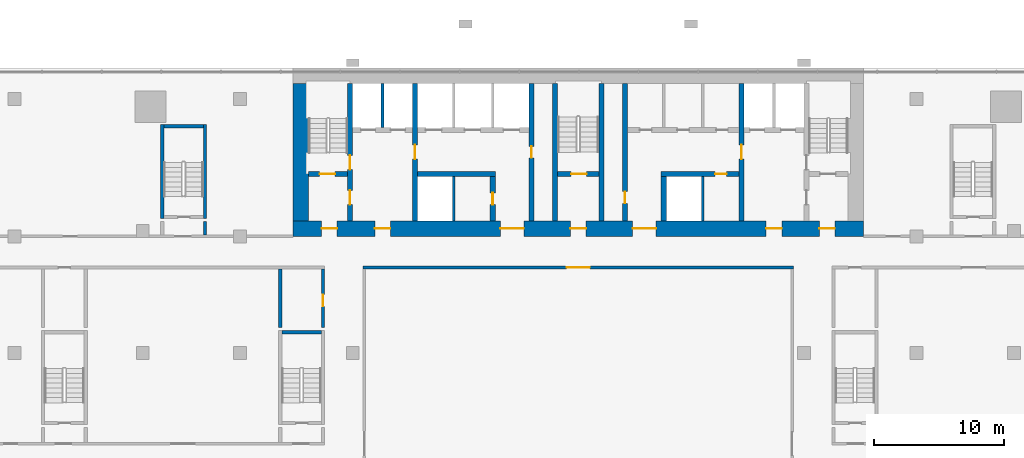
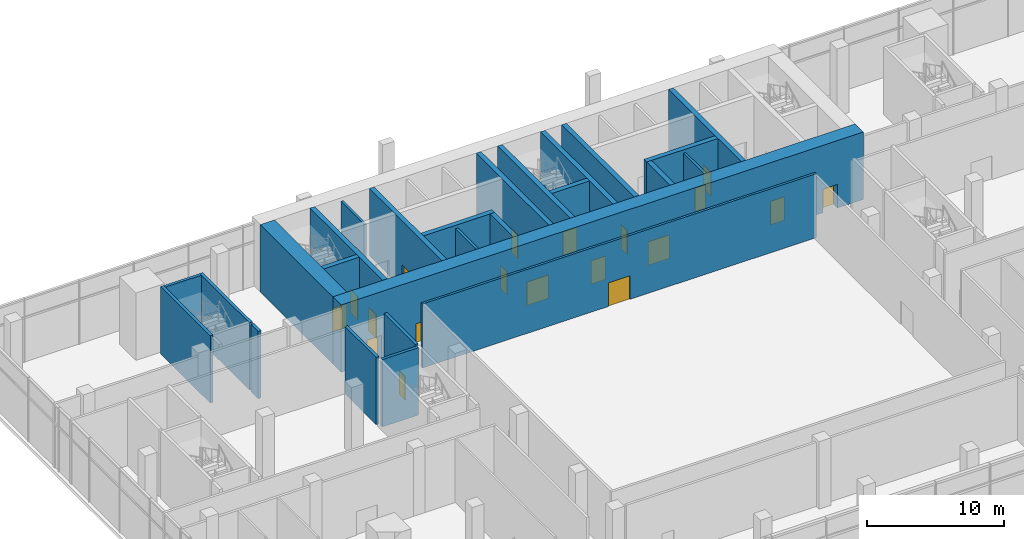
# One storey, part 13 of 21: 26 walls, 19 doors, 19 openings.
"""IFC4 building model written with IfcOpenShell, lengths in metres."""

from ifc_helpers import new_model, si_unit, direction, frame, frame_2d, origin, place, context, subcontext, project, spatial, rectangle, extrude, material, layer, layer_set, type_object, element, fill, save


model = new_model("IFC4")

# Units and contexts
model_context = context("Model", 3, precision=1e-05, world=origin(), true_north=direction((0.0, 1.0)))
body_context = subcontext(model_context, "Body", "Model", "MODEL_VIEW")
ifc_project = project(units=[si_unit("LENGTHUNIT", "METRE"), si_unit("AREAUNIT", "SQUARE_METRE"), si_unit("VOLUMEUNIT", "CUBIC_METRE"), si_unit("PLANEANGLEUNIT", "RADIAN"), si_unit("MASSUNIT", "GRAM", prefix="KILO")], contexts=[model_context])

# Site, building, storey
site_placement = place(None, origin())
site = spatial("IfcSite", under=ifc_project, at=site_placement, CompositionType="ELEMENT")
building_placement = place(site_placement, origin())
building = spatial("IfcBuilding", under=site, at=building_placement, Name="Bicima Exchange Tower", CompositionType="ELEMENT")
storey_placement = place(building_placement, frame((0.0, 0.0, 8.0)))
storey = spatial("IfcBuildingStorey", under=building, at=storey_placement, Name="L01", CompositionType="ELEMENT", Elevation=8.0)

# Walls
ifc_material_1 = material(Name="Gypsum board partition")
ifc_layer_1 = layer(ifc_material_1, 0.199951171875)
ifc_layer_set_1 = layer_set([ifc_layer_1], Name="Gypsum board partition")
wall_type_1 = type_object("IfcWallType", Name="Fire-rated gypsum partition 200 EI120", PredefinedType="PARTITIONING", material=ifc_layer_set_1)
for number, where, z_axis, x_axis, name in (
    (1, (-15.10009765625, -4.60009765625, 0.0), (0.0, 0.0, 1.0), (0.0, 1.0, 0.0), "partition wall 9"),
    (2, (-9.60009765625, -11.800048828125, 0.0), (0.0, 0.0, 1.0), (0.0, 1.0, 0.0), "partition wall 11"),
    (3, (9.60009765625, -11.800048828125, 0.0), (0.0, 0.0, 1.0), (0.0, 1.0, 0.0), "partition wall 21"),
):
    element("IfcWall", number, at=place(storey_placement, frame(where, z_axis=z_axis, x_axis=x_axis)), inside=storey, type_object=wall_type_1, Name=name, PredefinedType="PARTITIONING", context=body_context, shape_type="SweptSolid", body=[
        extrude(rectangle(XDim=3.400146484375, YDim=0.199951171875, at=frame_2d((1.7001953125, 0.0))), origin(), (0.0, 0.0, 1.0), 5.699951171875),
    ])

# Wall, opening, door
ifc_layer_2 = layer(ifc_material_1, 0.199951171875)
ifc_layer_set_2 = layer_set([ifc_layer_2], Name="Gypsum board partition")
wall_type_2 = type_object("IfcWallType", Name="Fire-rated gypsum partition 200 EI60", PredefinedType="PARTITIONING", material=ifc_layer_set_2)
wall_1_placement = place(storey_placement, frame((-16.60009765625, -15.39990234375, 0.0), z_axis=(0.0, 0.0, 1.0), x_axis=(1.0, 0.0, 0.0)))
wall_1 = element("IfcWall", 4, at=wall_1_placement, inside=storey, type_object=wall_type_2, Name="partition wall 18", PredefinedType="PARTITIONING", context=body_context, shape_type="SweptSolid", body=[
    extrude(rectangle(XDim=33.2001953125, YDim=0.199951171875, at=frame_2d((16.60009765625, 0.0))), origin(), (0.0, 0.0, 1.0), 5.699951171875),
])
opening_1_placement = place(wall_1_placement, frame((15.699951171875, 0.0, 0.0)))
opening_1 = element("IfcOpeningElement", 5, at=opening_1_placement, cuts=wall_1, Name="Opening L01-013", PredefinedType="OPENING", context=body_context, shape_type="SweptSolid", body=[
    extrude(rectangle(XDim=1.800048828125, YDim=2.10009765625, at=frame_2d((0.89990234375, 1.050048828125))), frame((0.0, 0.11181640625, 0.0), z_axis=(0.0, -1.0, 0.0), x_axis=(1.0, 0.0, 0.0)), (0.0, 0.0, 1.0), 0.223876953125),
])
ifc_material_2 = material(Name="Steel fire door leaf", Category="steel")
door_type_1 = type_object("IfcDoorType", Name="Door 1800 double swing FD30S", OperationType="DOUBLE_DOOR_SINGLE_SWING", PredefinedType="DOOR", material=ifc_material_2)
door_1_placement = place(opening_1_placement, origin())
door_1 = element("IfcDoor", 6, at=door_1_placement, inside=storey, type_object=door_type_1, Name="Door", OperationType="SINGLE_SWING_LEFT", OverallHeight=2.10009765625, OverallWidth=1.800048828125, PredefinedType="DOOR", context=body_context, shape_type="SweptSolid", body=[
    extrude(rectangle(XDim=1.800048828125, YDim=2.10009765625, at=frame_2d((0.89990234375, 1.050048828125))), frame((0.0, 0.02490234375, 0.0), z_axis=(0.0, -1.0, 0.0), x_axis=(1.0, 0.0, 0.0)), (0.0, 0.0, 1.0), 0.050048828125),
])
fill(opening_1, door_1)

# Wall, openings, doors
ifc_material_3 = material(Name="Concrete C60/75", Category="concrete")
ifc_layer_3 = layer(ifc_material_3, 1.199951171875)
ifc_layer_set_3 = layer_set([ifc_layer_3], Name="Concrete C60/75")
wall_type_3 = type_object("IfcWallType", Name="RC core wall 1200 C60/75", PredefinedType="SHEAR", material=ifc_layer_set_3)
wall_2_placement = place(storey_placement, frame((-22.0, -12.39990234375, 0.0), z_axis=(0.0, 0.0, 1.0), x_axis=(1.0, 0.0, 0.0)))
wall_2 = element("IfcWall", 7, at=wall_2_placement, inside=storey, type_object=wall_type_3, Name="Core wall south", PredefinedType="SHEAR", context=body_context, shape_type="SweptSolid", body=[
    extrude(rectangle(XDim=44.0, YDim=1.199951171875, at=frame_2d((22.0, 0.0))), origin(), (0.0, 0.0, 1.0), 6.0),
])
opening_2_placement = place(wall_2_placement, frame((2.199951171875, 0.0, 0.0)))
opening_2 = element("IfcOpeningElement", 8, at=opening_2_placement, cuts=wall_2, Name="Opening L01-C17", PredefinedType="OPENING", context=body_context, shape_type="SweptSolid", body=[
    extrude(rectangle(XDim=1.199951171875, YDim=2.10009765625, at=frame_2d((0.60009765625, 1.050048828125))), frame((0.0, 0.61181640625, 0.0), z_axis=(0.0, -1.0, 0.0), x_axis=(1.0, 0.0, 0.0)), (0.0, 0.0, 1.0), 1.223876953125),
])
opening_3_placement = place(wall_2_placement, frame((21.39990234375, 0.0, 0.0)))
opening_3 = element("IfcOpeningElement", 9, at=opening_3_placement, cuts=wall_2, Name="Opening L01-C18", PredefinedType="OPENING", context=body_context, shape_type="SweptSolid", body=[
    extrude(rectangle(XDim=1.199951171875, YDim=2.10009765625, at=frame_2d((0.60009765625, 1.050048828125))), frame((0.0, 0.61181640625, 0.0), z_axis=(0.0, -1.0, 0.0), x_axis=(1.0, 0.0, 0.0)), (0.0, 0.0, 1.0), 1.223876953125),
])
opening_4_placement = place(wall_2_placement, frame((40.60009765625, 0.0, 0.0)))
opening_4 = element("IfcOpeningElement", 10, at=opening_4_placement, cuts=wall_2, Name="Opening L01-C19", PredefinedType="OPENING", context=body_context, shape_type="SweptSolid", body=[
    extrude(rectangle(XDim=1.199951171875, YDim=2.10009765625, at=frame_2d((0.60009765625, 1.050048828125))), frame((0.0, 0.61181640625, 0.0), z_axis=(0.0, -1.0, 0.0), x_axis=(1.0, 0.0, 0.0)), (0.0, 0.0, 1.0), 1.223876953125),
])
opening_5_placement = place(wall_2_placement, frame((16.0, 0.0, 0.0)))
opening_5 = element("IfcOpeningElement", 11, at=opening_5_placement, cuts=wall_2, Name="Opening L01-C20", PredefinedType="OPENING", context=body_context, shape_type="SweptSolid", body=[
    extrude(rectangle(XDim=1.800048828125, YDim=2.10009765625, at=frame_2d((0.89990234375, 1.050048828125))), frame((0.0, 0.61181640625, 0.0), z_axis=(0.0, -1.0, 0.0), x_axis=(1.0, 0.0, 0.0)), (0.0, 0.0, 1.0), 1.223876953125),
])
opening_6_placement = place(wall_2_placement, frame((6.300048828125, 0.0, 0.0)))
opening_6 = element("IfcOpeningElement", 12, at=opening_6_placement, cuts=wall_2, Name="Opening L01-C21", PredefinedType="OPENING", context=body_context, shape_type="SweptSolid", body=[
    extrude(rectangle(XDim=1.199951171875, YDim=2.10009765625, at=frame_2d((0.60009765625, 1.050048828125))), frame((0.0, 0.61181640625, 0.0), z_axis=(0.0, -1.0, 0.0), x_axis=(1.0, 0.0, 0.0)), (0.0, 0.0, 1.0), 1.223876953125),
])
opening_7_placement = place(wall_2_placement, frame((26.199951171875, 0.0, 0.0)))
opening_7 = element("IfcOpeningElement", 13, at=opening_7_placement, cuts=wall_2, Name="Opening L01-C22", PredefinedType="OPENING", context=body_context, shape_type="SweptSolid", body=[
    extrude(rectangle(XDim=1.800048828125, YDim=2.10009765625, at=frame_2d((0.89990234375, 1.050048828125))), frame((0.0, 0.61181640625, 0.0), z_axis=(0.0, -1.0, 0.0), x_axis=(1.0, 0.0, 0.0)), (0.0, 0.0, 1.0), 1.223876953125),
])
opening_8_placement = place(wall_2_placement, frame((36.5, 0.0, 0.0)))
opening_8 = element("IfcOpeningElement", 14, at=opening_8_placement, cuts=wall_2, Name="Opening L01-C23", PredefinedType="OPENING", context=body_context, shape_type="SweptSolid", body=[
    extrude(rectangle(XDim=1.199951171875, YDim=2.10009765625, at=frame_2d((0.60009765625, 1.050048828125))), frame((0.0, 0.61181640625, 0.0), z_axis=(0.0, -1.0, 0.0), x_axis=(1.0, 0.0, 0.0)), (0.0, 0.0, 1.0), 1.223876953125),
])
door_type_2 = type_object("IfcDoorType", Name="Door 1200 swing FD60S", OperationType="SINGLE_SWING_LEFT", PredefinedType="DOOR", material=ifc_material_2)
door_2_placement = place(opening_2_placement, frame((1.199951171875, 0.0, 0.0), z_axis=(0.0, 0.0, 1.0), x_axis=(-1.0, 0.0, 0.0)))
door_2 = element("IfcDoor", 15, at=door_2_placement, inside=storey, type_object=door_type_2, Name="Core door", OperationType="SINGLE_SWING_RIGHT", OverallHeight=2.10009765625, OverallWidth=1.199951171875, PredefinedType="DOOR", context=body_context, shape_type="SweptSolid", body=[
    extrude(rectangle(XDim=1.199951171875, YDim=2.10009765625, at=frame_2d((0.60009765625, 1.050048828125))), frame((0.0, 0.02490234375, 0.0), z_axis=(0.0, -1.0, 0.0), x_axis=(1.0, 0.0, 0.0)), (0.0, 0.0, 1.0), 0.050048828125),
])
fill(opening_2, door_2)
door_3_placement = place(opening_3_placement, frame((1.199951171875, 0.0, 0.0), z_axis=(0.0, 0.0, 1.0), x_axis=(-1.0, 0.0, 0.0)))
door_3 = element("IfcDoor", 16, at=door_3_placement, inside=storey, type_object=door_type_2, Name="Core door", OperationType="SINGLE_SWING_RIGHT", OverallHeight=2.10009765625, OverallWidth=1.199951171875, PredefinedType="DOOR", context=body_context, shape_type="SweptSolid", body=[
    extrude(rectangle(XDim=1.199951171875, YDim=2.10009765625, at=frame_2d((0.60009765625, 1.050048828125))), frame((0.0, 0.02490234375, 0.0), z_axis=(0.0, -1.0, 0.0), x_axis=(1.0, 0.0, 0.0)), (0.0, 0.0, 1.0), 0.050048828125),
])
fill(opening_3, door_3)
door_4_placement = place(opening_4_placement, frame((1.199951171875, 0.0, 0.0), z_axis=(0.0, 0.0, 1.0), x_axis=(-1.0, 0.0, 0.0)))
door_4 = element("IfcDoor", 17, at=door_4_placement, inside=storey, type_object=door_type_2, Name="Core door", OperationType="SINGLE_SWING_RIGHT", OverallHeight=2.10009765625, OverallWidth=1.199951171875, PredefinedType="DOOR", context=body_context, shape_type="SweptSolid", body=[
    extrude(rectangle(XDim=1.199951171875, YDim=2.10009765625, at=frame_2d((0.60009765625, 1.050048828125))), frame((0.0, 0.02490234375, 0.0), z_axis=(0.0, -1.0, 0.0), x_axis=(1.0, 0.0, 0.0)), (0.0, 0.0, 1.0), 0.050048828125),
])
fill(opening_4, door_4)
door_5_placement = place(opening_6_placement, frame((1.199951171875, 0.0, 0.0), z_axis=(0.0, 0.0, 1.0), x_axis=(-1.0, 0.0, 0.0)))
door_5 = element("IfcDoor", 18, at=door_5_placement, inside=storey, type_object=door_type_2, Name="Core door", OperationType="SINGLE_SWING_RIGHT", OverallHeight=2.10009765625, OverallWidth=1.199951171875, PredefinedType="DOOR", context=body_context, shape_type="SweptSolid", body=[
    extrude(rectangle(XDim=1.199951171875, YDim=2.10009765625, at=frame_2d((0.60009765625, 1.050048828125))), frame((0.0, 0.02490234375, 0.0), z_axis=(0.0, -1.0, 0.0), x_axis=(1.0, 0.0, 0.0)), (0.0, 0.0, 1.0), 0.050048828125),
])
fill(opening_6, door_5)
door_6_placement = place(opening_8_placement, frame((1.199951171875, 0.0, 0.0), z_axis=(0.0, 0.0, 1.0), x_axis=(-1.0, 0.0, 0.0)))
door_6 = element("IfcDoor", 19, at=door_6_placement, inside=storey, type_object=door_type_2, Name="Core door", OperationType="SINGLE_SWING_RIGHT", OverallHeight=2.10009765625, OverallWidth=1.199951171875, PredefinedType="DOOR", context=body_context, shape_type="SweptSolid", body=[
    extrude(rectangle(XDim=1.199951171875, YDim=2.10009765625, at=frame_2d((0.60009765625, 1.050048828125))), frame((0.0, 0.02490234375, 0.0), z_axis=(0.0, -1.0, 0.0), x_axis=(1.0, 0.0, 0.0)), (0.0, 0.0, 1.0), 0.050048828125),
])
fill(opening_8, door_6)
door_7_placement = place(opening_5_placement, origin())
door_7 = element("IfcDoor", 20, at=door_7_placement, inside=storey, type_object=door_type_1, Name="Core door", OperationType="SINGLE_SWING_LEFT", OverallHeight=2.10009765625, OverallWidth=1.800048828125, PredefinedType="DOOR", context=body_context, shape_type="SweptSolid", body=[
    extrude(rectangle(XDim=1.800048828125, YDim=2.10009765625, at=frame_2d((0.89990234375, 1.050048828125))), frame((0.0, 0.02490234375, 0.0), z_axis=(0.0, -1.0, 0.0), x_axis=(1.0, 0.0, 0.0)), (0.0, 0.0, 1.0), 0.050048828125),
])
fill(opening_5, door_7)
door_8_placement = place(opening_7_placement, origin())
door_8 = element("IfcDoor", 21, at=door_8_placement, inside=storey, type_object=door_type_1, Name="Core door", OperationType="SINGLE_SWING_LEFT", OverallHeight=2.10009765625, OverallWidth=1.800048828125, PredefinedType="DOOR", context=body_context, shape_type="SweptSolid", body=[
    extrude(rectangle(XDim=1.800048828125, YDim=2.10009765625, at=frame_2d((0.89990234375, 1.050048828125))), frame((0.0, 0.02490234375, 0.0), z_axis=(0.0, -1.0, 0.0), x_axis=(1.0, 0.0, 0.0)), (0.0, 0.0, 1.0), 0.050048828125),
])
fill(opening_7, door_8)

# Walls
wall_3_placement = place(storey_placement, frame((-21.39990234375, -11.800048828125, 0.0), z_axis=(0.0, 0.0, 1.0), x_axis=(0.0, 1.0, 0.0)))
element("IfcWall", 22, at=wall_3_placement, inside=storey, type_object=wall_type_3, Name="Core wall west", PredefinedType="SHEAR", context=body_context, shape_type="SweptSolid", body=[
    extrude(rectangle(XDim=10.60009765625, YDim=1.199951171875, at=frame_2d((5.300048828125, 0.0))), origin(), (0.0, 0.0, 1.0), 6.0),
])
ifc_material_4 = material(Name="Concrete C50/60", Category="concrete")
ifc_layer_4 = layer(ifc_material_4, 0.25)
ifc_layer_set_4 = layer_set([ifc_layer_4], Name="Concrete C50/60")
wall_type_4 = type_object("IfcWallType", Name="RC core wall 250 C50/60", PredefinedType="SHEAR", material=ifc_layer_set_4)
wall_4_placement = place(storey_placement, frame((-28.800048828125, -12.89990234375, 0.0), z_axis=(0.0, 0.0, 1.0), x_axis=(0.0, 1.0, 0.0)))
element("IfcWall", 23, at=wall_4_placement, inside=storey, type_object=wall_type_4, Name="stair wall 34", PredefinedType="SHEAR", context=body_context, shape_type="SweptSolid", body=[
    extrude(rectangle(XDim=1.0498046875, YDim=0.25, at=frame_2d((0.52490234375, 0.0))), origin(), (0.0, 0.0, 1.0), 6.0),
])
wall_5_placement = place(storey_placement, frame((-23.0, -20.050048828125, 0.0), z_axis=(0.0, 0.0, 1.0), x_axis=(0.0, 1.0, 0.0)))
element("IfcWall", 24, at=wall_5_placement, inside=storey, type_object=wall_type_4, Name="stair wall 36", PredefinedType="SHEAR", context=body_context, shape_type="SweptSolid", body=[
    extrude(rectangle(XDim=4.550048828125, YDim=0.25, at=frame_2d((2.27490234375, 0.0))), origin(), (0.0, 0.0, 1.0), 6.0),
])

# Wall, opening, door
wall_6_placement = place(storey_placement, frame((-19.699951171875, -20.050048828125, 0.0), z_axis=(0.0, 0.0, 1.0), x_axis=(0.0, 1.0, 0.0)))
wall_6 = element("IfcWall", 25, at=wall_6_placement, inside=storey, type_object=wall_type_4, Name="stair wall 38", PredefinedType="SHEAR", context=body_context, shape_type="SweptSolid", body=[
    extrude(rectangle(XDim=4.550048828125, YDim=0.25, at=frame_2d((2.27490234375, 0.0))), origin(), (0.0, 0.0, 1.0), 6.0),
])
opening_9_placement = place(wall_6_placement, frame((1.64990234375, 0.0, 0.0)))
opening_9 = element("IfcOpeningElement", 26, at=opening_9_placement, cuts=wall_6, Name="Opening L01-023", PredefinedType="OPENING", context=body_context, shape_type="SweptSolid", body=[
    extrude(rectangle(XDim=0.89990234375, YDim=2.10009765625, at=frame_2d((0.449951171875, 1.050048828125))), frame((0.0, 0.136962890625, 0.0), z_axis=(0.0, -1.0, 0.0), x_axis=(1.0, 0.0, 0.0)), (0.0, 0.0, 1.0), 0.27392578125),
])
door_type_3 = type_object("IfcDoorType", Name="Door 900 swing FD60S", OperationType="SINGLE_SWING_LEFT", PredefinedType="DOOR", material=ifc_material_2)
door_9_placement = place(opening_9_placement, origin())
door_9 = element("IfcDoor", 27, at=door_9_placement, inside=storey, type_object=door_type_3, Name="Door", OperationType="SINGLE_SWING_LEFT", OverallHeight=2.10009765625, OverallWidth=0.89990234375, PredefinedType="DOOR", context=body_context, shape_type="SweptSolid", body=[
    extrude(rectangle(XDim=0.89990234375, YDim=2.10009765625, at=frame_2d((0.449951171875, 1.050048828125))), frame((0.0, 0.02490234375, 0.0), z_axis=(0.0, -1.0, 0.0), x_axis=(1.0, 0.0, 0.0)), (0.0, 0.0, 1.0), 0.050048828125),
])
fill(opening_9, door_9)

ifc_layer_5 = layer(ifc_material_4, 0.39990234375)
ifc_layer_set_5 = layer_set([ifc_layer_5], Name="Concrete C50/60")
wall_type_5 = type_object("IfcWallType", Name="RC core wall 400 C50/60", PredefinedType="SHEAR", material=ifc_layer_set_5)
wall_7_placement = place(storey_placement, frame((-20.800048828125, -8.199951171875, 0.0), z_axis=(0.0, 0.0, 1.0), x_axis=(1.0, 0.0, 0.0)))
wall_7 = element("IfcWall", 28, at=wall_7_placement, inside=storey, type_object=wall_type_5, Name="stair wall 1", PredefinedType="SHEAR", context=body_context, shape_type="SweptSolid", body=[
    extrude(rectangle(XDim=3.0, YDim=0.39990234375, at=frame_2d((1.5, 0.0))), origin(), (0.0, 0.0, 1.0), 6.0),
])
opening_10_placement = place(wall_7_placement, frame((0.85009765625, 0.0, 0.0)))
opening_10 = element("IfcOpeningElement", 29, at=opening_10_placement, cuts=wall_7, Name="Opening L01-C01", PredefinedType="OPENING", context=body_context, shape_type="SweptSolid", body=[
    extrude(rectangle(XDim=1.199951171875, YDim=2.10009765625, at=frame_2d((0.60009765625, 1.050048828125))), frame((0.0, 0.2119140625, 0.0), z_axis=(0.0, -1.0, 0.0), x_axis=(1.0, 0.0, 0.0)), (0.0, 0.0, 1.0), 0.423828125),
])
door_10_placement = place(opening_10_placement, origin())
door_10 = element("IfcDoor", 30, at=door_10_placement, inside=storey, type_object=door_type_2, Name="Core door", OperationType="SINGLE_SWING_LEFT", OverallHeight=2.10009765625, OverallWidth=1.199951171875, PredefinedType="DOOR", context=body_context, shape_type="SweptSolid", body=[
    extrude(rectangle(XDim=1.199951171875, YDim=2.10009765625, at=frame_2d((0.60009765625, 1.050048828125))), frame((0.0, 0.02490234375, 0.0), z_axis=(0.0, -1.0, 0.0), x_axis=(1.0, 0.0, 0.0)), (0.0, 0.0, 1.0), 0.050048828125),
])
fill(opening_10, door_10)

wall_8_placement = place(storey_placement, frame((-1.60009765625, -8.199951171875, 0.0), z_axis=(0.0, 0.0, 1.0), x_axis=(1.0, 0.0, 0.0)))
wall_8 = element("IfcWall", 31, at=wall_8_placement, inside=storey, type_object=wall_type_5, Name="stair wall 3", PredefinedType="SHEAR", context=body_context, shape_type="SweptSolid", body=[
    extrude(rectangle(XDim=3.2001953125, YDim=0.39990234375, at=frame_2d((1.60009765625, 0.0))), origin(), (0.0, 0.0, 1.0), 6.0),
])
opening_11_placement = place(wall_8_placement, frame((1.050048828125, 0.0, 0.0)))
opening_11 = element("IfcOpeningElement", 32, at=opening_11_placement, cuts=wall_8, Name="Opening L01-C03", PredefinedType="OPENING", context=body_context, shape_type="SweptSolid", body=[
    extrude(rectangle(XDim=1.199951171875, YDim=2.10009765625, at=frame_2d((0.60009765625, 1.050048828125))), frame((0.0, 0.2119140625, 0.0), z_axis=(0.0, -1.0, 0.0), x_axis=(1.0, 0.0, 0.0)), (0.0, 0.0, 1.0), 0.423828125),
])
door_11_placement = place(opening_11_placement, origin())
door_11 = element("IfcDoor", 33, at=door_11_placement, inside=storey, type_object=door_type_2, Name="Core door", OperationType="SINGLE_SWING_LEFT", OverallHeight=2.10009765625, OverallWidth=1.199951171875, PredefinedType="DOOR", context=body_context, shape_type="SweptSolid", body=[
    extrude(rectangle(XDim=1.199951171875, YDim=2.10009765625, at=frame_2d((0.60009765625, 1.050048828125))), frame((0.0, 0.02490234375, 0.0), z_axis=(0.0, -1.0, 0.0), x_axis=(1.0, 0.0, 0.0)), (0.0, 0.0, 1.0), 0.050048828125),
])
fill(opening_11, door_11)

# Wall, openings, doors
wall_9_placement = place(storey_placement, frame((-17.60009765625, -11.800048828125, 0.0), z_axis=(0.0, 0.0, 1.0), x_axis=(0.0, 1.0, 0.0)))
wall_9 = element("IfcWall", 34, at=wall_9_placement, inside=storey, type_object=wall_type_5, Name="stair wall 8", PredefinedType="SHEAR", context=body_context, shape_type="SweptSolid", body=[
    extrude(rectangle(XDim=10.60009765625, YDim=0.39990234375, at=frame_2d((5.300048828125, 0.0))), origin(), (0.0, 0.0, 1.0), 6.0),
])
opening_12_placement = place(wall_9_placement, frame((1.25, 0.0, 0.0)))
opening_12 = element("IfcOpeningElement", 35, at=opening_12_placement, cuts=wall_9, Name="Opening L01-C02", PredefinedType="OPENING", context=body_context, shape_type="SweptSolid", body=[
    extrude(rectangle(XDim=1.10009765625, YDim=2.10009765625, at=frame_2d((0.550048828125, 1.050048828125))), frame((0.0, 0.2119140625, 0.0), z_axis=(0.0, -1.0, 0.0), x_axis=(1.0, 0.0, 0.0)), (0.0, 0.0, 1.0), 0.423828125),
])
opening_13_placement = place(wall_9_placement, frame((3.949951171875, 0.0, 0.0)))
opening_13 = element("IfcOpeningElement", 36, at=opening_13_placement, cuts=wall_9, Name="Opening L01-C06", PredefinedType="OPENING", context=body_context, shape_type="SweptSolid", body=[
    extrude(rectangle(XDim=1.10009765625, YDim=2.10009765625, at=frame_2d((0.550048828125, 1.050048828125))), frame((0.0, 0.2119140625, 0.0), z_axis=(0.0, -1.0, 0.0), x_axis=(1.0, 0.0, 0.0)), (0.0, 0.0, 1.0), 0.423828125),
])
door_type_4 = type_object("IfcDoorType", Name="Door 1100 swing FD60S", OperationType="SINGLE_SWING_LEFT", PredefinedType="DOOR", material=ifc_material_2)
door_12_placement = place(opening_12_placement, frame((1.10009765625, 0.0, 0.0), z_axis=(0.0, 0.0, 1.0), x_axis=(-1.0, 0.0, 0.0)))
door_12 = element("IfcDoor", 37, at=door_12_placement, inside=storey, type_object=door_type_4, Name="Core door", OperationType="SINGLE_SWING_LEFT", OverallHeight=2.10009765625, OverallWidth=1.10009765625, PredefinedType="DOOR", context=body_context, shape_type="SweptSolid", body=[
    extrude(rectangle(XDim=1.10009765625, YDim=2.10009765625, at=frame_2d((0.550048828125, 1.050048828125))), frame((0.0, 0.02490234375, 0.0), z_axis=(0.0, -1.0, 0.0), x_axis=(1.0, 0.0, 0.0)), (0.0, 0.0, 1.0), 0.050048828125),
])
fill(opening_12, door_12)
door_13_placement = place(opening_13_placement, frame((1.10009765625, 0.0, 0.0), z_axis=(0.0, 0.0, 1.0), x_axis=(-1.0, 0.0, 0.0)))
door_13 = element("IfcDoor", 38, at=door_13_placement, inside=storey, type_object=door_type_4, Name="Core door", OperationType="SINGLE_SWING_LEFT", OverallHeight=2.10009765625, OverallWidth=1.10009765625, PredefinedType="DOOR", context=body_context, shape_type="SweptSolid", body=[
    extrude(rectangle(XDim=1.10009765625, YDim=2.10009765625, at=frame_2d((0.550048828125, 1.050048828125))), frame((0.0, 0.02490234375, 0.0), z_axis=(0.0, -1.0, 0.0), x_axis=(1.0, 0.0, 0.0)), (0.0, 0.0, 1.0), 0.050048828125),
])
fill(opening_13, door_13)

# Walls
for number, where, z_axis, x_axis, name in (
    (39, (-1.800048828125, -11.800048828125, 0.0), (0.0, 0.0, 1.0), (0.0, 1.0, 0.0), "stair wall 16"),
    (40, (1.800048828125, -11.800048828125, 0.0), (0.0, 0.0, 1.0), (0.0, 1.0, 0.0), "stair wall 17"),
):
    element("IfcWall", number, at=place(storey_placement, frame(where, z_axis=z_axis, x_axis=x_axis)), inside=storey, type_object=wall_type_5, Name=name, PredefinedType="SHEAR", context=body_context, shape_type="SweptSolid", body=[
        extrude(rectangle(XDim=10.60009765625, YDim=0.39990234375, at=frame_2d((5.300048828125, 0.0))), origin(), (0.0, 0.0, 1.0), 6.0),
    ])
ifc_layer_6 = layer(ifc_material_3, 0.39990234375)
ifc_layer_set_6 = layer_set([ifc_layer_6], Name="Concrete C60/75")
wall_type_6 = type_object("IfcWallType", Name="RC core wall 400 C60/75", PredefinedType="SHEAR", material=ifc_layer_set_6)
wall_10_placement = place(storey_placement, frame((-12.39990234375, -8.199951171875, 0.0), z_axis=(0.0, 0.0, 1.0), x_axis=(1.0, 0.0, 0.0)))
element("IfcWall", 41, at=wall_10_placement, inside=storey, type_object=wall_type_6, Name="shear wall 2", PredefinedType="SHEAR", context=body_context, shape_type="SweptSolid", body=[
    extrude(rectangle(XDim=6.0, YDim=0.39990234375, at=frame_2d((3.0, 0.0))), origin(), (0.0, 0.0, 1.0), 6.0),
])

# Wall, opening, door
wall_11_placement = place(storey_placement, frame((6.39990234375, -8.199951171875, 0.0), z_axis=(0.0, 0.0, 1.0), x_axis=(1.0, 0.0, 0.0)))
wall_11 = element("IfcWall", 42, at=wall_11_placement, inside=storey, type_object=wall_type_6, Name="shear wall 4", PredefinedType="SHEAR", context=body_context, shape_type="SweptSolid", body=[
    extrude(rectangle(XDim=6.0, YDim=0.39990234375, at=frame_2d((3.0, 0.0))), origin(), (0.0, 0.0, 1.0), 6.0),
])
opening_14_placement = place(wall_11_placement, frame((4.14990234375, 0.0, 0.0)))
opening_14 = element("IfcOpeningElement", 43, at=opening_14_placement, cuts=wall_11, Name="Opening L01-C16", PredefinedType="OPENING", context=body_context, shape_type="SweptSolid", body=[
    extrude(rectangle(XDim=0.89990234375, YDim=2.10009765625, at=frame_2d((0.449951171875, 1.050048828125))), frame((0.0, 0.2119140625, 0.0), z_axis=(0.0, -1.0, 0.0), x_axis=(1.0, 0.0, 0.0)), (0.0, 0.0, 1.0), 0.423828125),
])
door_type_5 = type_object("IfcDoorType", Name="Door 900 swing FD30S", OperationType="SINGLE_SWING_LEFT", PredefinedType="DOOR", material=ifc_material_2)
door_14_placement = place(opening_14_placement, frame((0.89990234375, 0.0, 0.0), z_axis=(0.0, 0.0, 1.0), x_axis=(-1.0, 0.0, 0.0)))
door_14 = element("IfcDoor", 44, at=door_14_placement, inside=storey, type_object=door_type_5, Name="Core door", OperationType="SINGLE_SWING_LEFT", OverallHeight=2.10009765625, OverallWidth=0.89990234375, PredefinedType="DOOR", context=body_context, shape_type="SweptSolid", body=[
    extrude(rectangle(XDim=0.89990234375, YDim=2.10009765625, at=frame_2d((0.449951171875, 1.050048828125))), frame((0.0, 0.02490234375, 0.0), z_axis=(0.0, -1.0, 0.0), x_axis=(1.0, 0.0, 0.0)), (0.0, 0.0, 1.0), 0.050048828125),
])
fill(opening_14, door_14)

wall_12_placement = place(storey_placement, frame((-12.60009765625, -11.800048828125, 0.0), z_axis=(0.0, 0.0, 1.0), x_axis=(0.0, 1.0, 0.0)))
wall_12 = element("IfcWall", 45, at=wall_12_placement, inside=storey, type_object=wall_type_6, Name="shear wall 10", PredefinedType="SHEAR", context=body_context, shape_type="SweptSolid", body=[
    extrude(rectangle(XDim=10.60009765625, YDim=0.39990234375, at=frame_2d((5.300048828125, 0.0))), origin(), (0.0, 0.0, 1.0), 6.0),
])
opening_15_placement = place(wall_12_placement, frame((4.75, 0.0, 0.0)))
opening_15 = element("IfcOpeningElement", 46, at=opening_15_placement, cuts=wall_12, Name="Opening L01-C07", PredefinedType="OPENING", context=body_context, shape_type="SweptSolid", body=[
    extrude(rectangle(XDim=1.10009765625, YDim=2.10009765625, at=frame_2d((0.550048828125, 1.050048828125))), frame((0.0, 0.2119140625, 0.0), z_axis=(0.0, -1.0, 0.0), x_axis=(1.0, 0.0, 0.0)), (0.0, 0.0, 1.0), 0.423828125),
])
door_15_placement = place(opening_15_placement, origin())
door_15 = element("IfcDoor", 47, at=door_15_placement, inside=storey, type_object=door_type_4, Name="Core door", OperationType="SINGLE_SWING_LEFT", OverallHeight=2.10009765625, OverallWidth=1.10009765625, PredefinedType="DOOR", context=body_context, shape_type="SweptSolid", body=[
    extrude(rectangle(XDim=1.10009765625, YDim=2.10009765625, at=frame_2d((0.550048828125, 1.050048828125))), frame((0.0, 0.02490234375, 0.0), z_axis=(0.0, -1.0, 0.0), x_axis=(1.0, 0.0, 0.0)), (0.0, 0.0, 1.0), 0.050048828125),
])
fill(opening_15, door_15)

wall_13_placement = place(storey_placement, frame((-6.60009765625, -11.800048828125, 0.0), z_axis=(0.0, 0.0, 1.0), x_axis=(0.0, 1.0, 0.0)))
wall_13 = element("IfcWall", 48, at=wall_13_placement, inside=storey, type_object=wall_type_6, Name="shear wall 13", PredefinedType="SHEAR", context=body_context, shape_type="SweptSolid", body=[
    extrude(rectangle(XDim=3.400146484375, YDim=0.39990234375, at=frame_2d((1.7001953125, 0.0))), origin(), (0.0, 0.0, 1.0), 6.0),
])
opening_16_placement = place(wall_13_placement, frame((1.25, 0.0, 0.0)))
opening_16 = element("IfcOpeningElement", 49, at=opening_16_placement, cuts=wall_13, Name="Opening L01-C15", PredefinedType="OPENING", context=body_context, shape_type="SweptSolid", body=[
    extrude(rectangle(XDim=0.89990234375, YDim=2.10009765625, at=frame_2d((0.449951171875, 1.050048828125))), frame((0.0, 0.2119140625, 0.0), z_axis=(0.0, -1.0, 0.0), x_axis=(1.0, 0.0, 0.0)), (0.0, 0.0, 1.0), 0.423828125),
])
door_16_placement = place(opening_16_placement, origin())
door_16 = element("IfcDoor", 50, at=door_16_placement, inside=storey, type_object=door_type_5, Name="Core door", OperationType="SINGLE_SWING_LEFT", OverallHeight=2.10009765625, OverallWidth=0.89990234375, PredefinedType="DOOR", context=body_context, shape_type="SweptSolid", body=[
    extrude(rectangle(XDim=0.89990234375, YDim=2.10009765625, at=frame_2d((0.449951171875, 1.050048828125))), frame((0.0, 0.02490234375, 0.0), z_axis=(0.0, -1.0, 0.0), x_axis=(1.0, 0.0, 0.0)), (0.0, 0.0, 1.0), 0.050048828125),
])
fill(opening_16, door_16)

wall_14_placement = place(storey_placement, frame((-3.60009765625, -11.800048828125, 0.0), z_axis=(0.0, 0.0, 1.0), x_axis=(0.0, 1.0, 0.0)))
wall_14 = element("IfcWall", 51, at=wall_14_placement, inside=storey, type_object=wall_type_6, Name="shear wall 15", PredefinedType="SHEAR", context=body_context, shape_type="SweptSolid", body=[
    extrude(rectangle(XDim=10.60009765625, YDim=0.39990234375, at=frame_2d((5.300048828125, 0.0))), origin(), (0.0, 0.0, 1.0), 6.0),
])
opening_17_placement = place(wall_14_placement, frame((4.85009765625, 0.0, 0.0)))
opening_17 = element("IfcOpeningElement", 52, at=opening_17_placement, cuts=wall_14, Name="Opening L01-C10", PredefinedType="OPENING", context=body_context, shape_type="SweptSolid", body=[
    extrude(rectangle(XDim=0.89990234375, YDim=2.10009765625, at=frame_2d((0.449951171875, 1.050048828125))), frame((0.0, 0.2119140625, 0.0), z_axis=(0.0, -1.0, 0.0), x_axis=(1.0, 0.0, 0.0)), (0.0, 0.0, 1.0), 0.423828125),
])
door_17_placement = place(opening_17_placement, frame((0.89990234375, 0.0, 0.0), z_axis=(0.0, 0.0, 1.0), x_axis=(-1.0, 0.0, 0.0)))
door_17 = element("IfcDoor", 53, at=door_17_placement, inside=storey, type_object=door_type_5, Name="Core door", OperationType="SINGLE_SWING_LEFT", OverallHeight=2.10009765625, OverallWidth=0.89990234375, PredefinedType="DOOR", context=body_context, shape_type="SweptSolid", body=[
    extrude(rectangle(XDim=0.89990234375, YDim=2.10009765625, at=frame_2d((0.449951171875, 1.050048828125))), frame((0.0, 0.02490234375, 0.0), z_axis=(0.0, -1.0, 0.0), x_axis=(1.0, 0.0, 0.0)), (0.0, 0.0, 1.0), 0.050048828125),
])
fill(opening_17, door_17)

wall_15_placement = place(storey_placement, frame((3.60009765625, -11.800048828125, 0.0), z_axis=(0.0, 0.0, 1.0), x_axis=(0.0, 1.0, 0.0)))
wall_15 = element("IfcWall", 54, at=wall_15_placement, inside=storey, type_object=wall_type_6, Name="shear wall 18", PredefinedType="SHEAR", context=body_context, shape_type="SweptSolid", body=[
    extrude(rectangle(XDim=10.60009765625, YDim=0.39990234375, at=frame_2d((5.300048828125, 0.0))), origin(), (0.0, 0.0, 1.0), 6.0),
])
opening_18_placement = place(wall_15_placement, frame((1.35009765625, 0.0, 0.0)))
opening_18 = element("IfcOpeningElement", 55, at=opening_18_placement, cuts=wall_15, Name="Opening L01-C11", PredefinedType="OPENING", context=body_context, shape_type="SweptSolid", body=[
    extrude(rectangle(XDim=0.89990234375, YDim=2.10009765625, at=frame_2d((0.449951171875, 1.050048828125))), frame((0.0, 0.2119140625, 0.0), z_axis=(0.0, -1.0, 0.0), x_axis=(1.0, 0.0, 0.0)), (0.0, 0.0, 1.0), 0.423828125),
])
door_18_placement = place(opening_18_placement, origin())
door_18 = element("IfcDoor", 56, at=door_18_placement, inside=storey, type_object=door_type_5, Name="Core door", OperationType="SINGLE_SWING_LEFT", OverallHeight=2.10009765625, OverallWidth=0.89990234375, PredefinedType="DOOR", context=body_context, shape_type="SweptSolid", body=[
    extrude(rectangle(XDim=0.89990234375, YDim=2.10009765625, at=frame_2d((0.449951171875, 1.050048828125))), frame((0.0, 0.02490234375, 0.0), z_axis=(0.0, -1.0, 0.0), x_axis=(1.0, 0.0, 0.0)), (0.0, 0.0, 1.0), 0.050048828125),
])
fill(opening_18, door_18)

# Wall
wall_16_placement = place(storey_placement, frame((6.60009765625, -11.800048828125, 0.0), z_axis=(0.0, 0.0, 1.0), x_axis=(0.0, 1.0, 0.0)))
element("IfcWall", 57, at=wall_16_placement, inside=storey, type_object=wall_type_6, Name="shear wall 19", PredefinedType="SHEAR", context=body_context, shape_type="SweptSolid", body=[
    extrude(rectangle(XDim=3.400146484375, YDim=0.39990234375, at=frame_2d((1.7001953125, 0.0))), origin(), (0.0, 0.0, 1.0), 6.0),
])

# Wall, opening, door
wall_17_placement = place(storey_placement, frame((12.60009765625, -11.800048828125, 0.0), z_axis=(0.0, 0.0, 1.0), x_axis=(0.0, 1.0, 0.0)))
wall_17 = element("IfcWall", 58, at=wall_17_placement, inside=storey, type_object=wall_type_6, Name="shear wall 23", PredefinedType="SHEAR", context=body_context, shape_type="SweptSolid", body=[
    extrude(rectangle(XDim=10.60009765625, YDim=0.39990234375, at=frame_2d((5.300048828125, 0.0))), origin(), (0.0, 0.0, 1.0), 6.0),
])
opening_19_placement = place(wall_17_placement, frame((4.75, 0.0, 0.0)))
opening_19 = element("IfcOpeningElement", 59, at=opening_19_placement, cuts=wall_17, Name="Opening L01-C09", PredefinedType="OPENING", context=body_context, shape_type="SweptSolid", body=[
    extrude(rectangle(XDim=1.10009765625, YDim=2.10009765625, at=frame_2d((0.550048828125, 1.050048828125))), frame((0.0, 0.2119140625, 0.0), z_axis=(0.0, -1.0, 0.0), x_axis=(1.0, 0.0, 0.0)), (0.0, 0.0, 1.0), 0.423828125),
])
door_19_placement = place(opening_19_placement, frame((1.10009765625, 0.0, 0.0), z_axis=(0.0, 0.0, 1.0), x_axis=(-1.0, 0.0, 0.0)))
door_19 = element("IfcDoor", 60, at=door_19_placement, inside=storey, type_object=door_type_4, Name="Core door", OperationType="SINGLE_SWING_RIGHT", OverallHeight=2.10009765625, OverallWidth=1.10009765625, PredefinedType="DOOR", context=body_context, shape_type="SweptSolid", body=[
    extrude(rectangle(XDim=1.10009765625, YDim=2.10009765625, at=frame_2d((0.550048828125, 1.050048828125))), frame((0.0, 0.02490234375, 0.0), z_axis=(0.0, -1.0, 0.0), x_axis=(1.0, 0.0, 0.0)), (0.0, 0.0, 1.0), 0.050048828125),
])
fill(opening_19, door_19)

# Walls
ifc_layer_7 = layer(ifc_material_4, 0.25)
ifc_layer_set_7 = layer_set([ifc_layer_7], Name="Concrete C50/60")
wall_type_7 = type_object("IfcWallType", Name="RC stair enclosure wall 250 C50/60", PredefinedType="SHEAR", material=ifc_layer_set_7)
for number, where, z_axis, x_axis, name in (
    (61, (-32.10009765625, -11.625, 0.0), (0.0, 0.0, 1.0), (0.0, 1.0, 0.0), "West end exit stair wall W"),
    (62, (-28.800048828125, -11.625, 0.0), (0.0, 0.0, 1.0), (0.0, 1.0, 0.0), "West end exit stair wall E"),
):
    element("IfcWall", number, at=place(storey_placement, frame(where, z_axis=z_axis, x_axis=x_axis)), inside=storey, type_object=wall_type_7, Name=name, PredefinedType="SHEAR", context=body_context, shape_type="SweptSolid", body=[
        extrude(rectangle(XDim=7.25, YDim=0.25, at=frame_2d((3.625, 0.0))), origin(), (0.0, 0.0, 1.0), 6.0),
    ])
for number, where, z_axis, x_axis, name in (
    (63, (-31.97509765625, -4.5, 0.0), (0.0, 0.0, 1.0), (1.0, 0.0, 0.0), "West end exit stair wall N"),
    (64, (-22.875, -20.39990234375, 0.0), (0.0, 0.0, 1.0), (1.0, 0.0, 0.0), "Podium inner west stair wall N"),
):
    element("IfcWall", number, at=place(storey_placement, frame(where, z_axis=z_axis, x_axis=x_axis)), inside=storey, type_object=wall_type_7, Name=name, PredefinedType="SHEAR", context=body_context, shape_type="SweptSolid", body=[
        extrude(rectangle(XDim=3.050048828125, YDim=0.25, at=frame_2d((1.52490234375, 0.0))), origin(), (0.0, 0.0, 1.0), 6.0),
    ])

save(model, "model.ifc")
